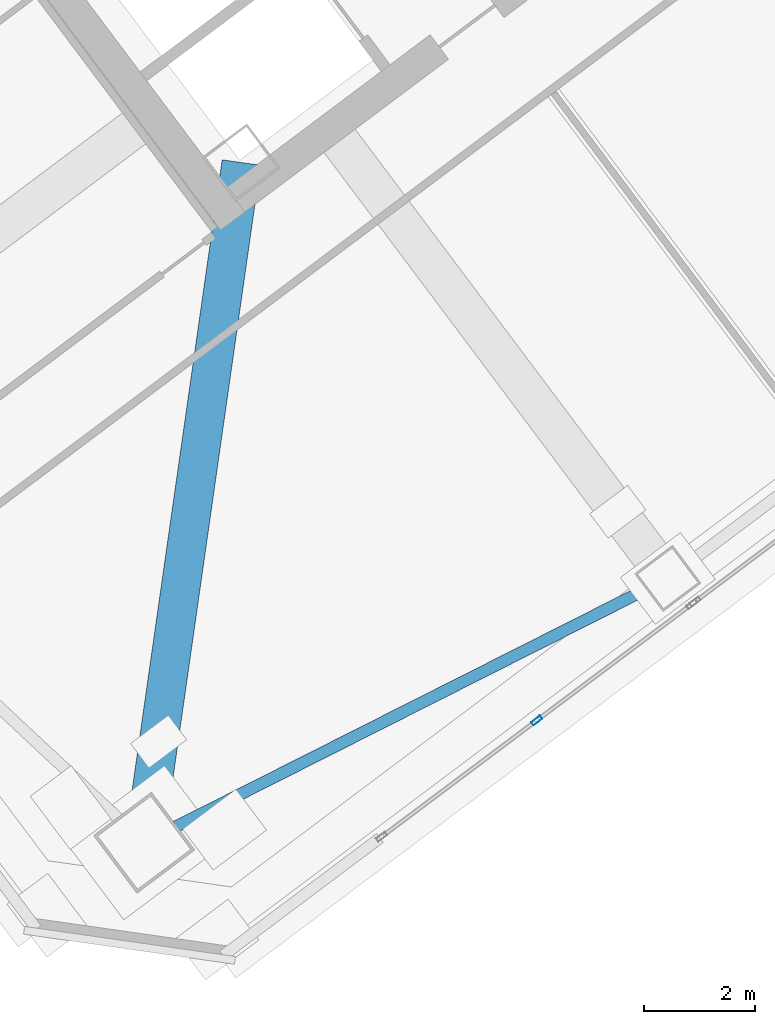
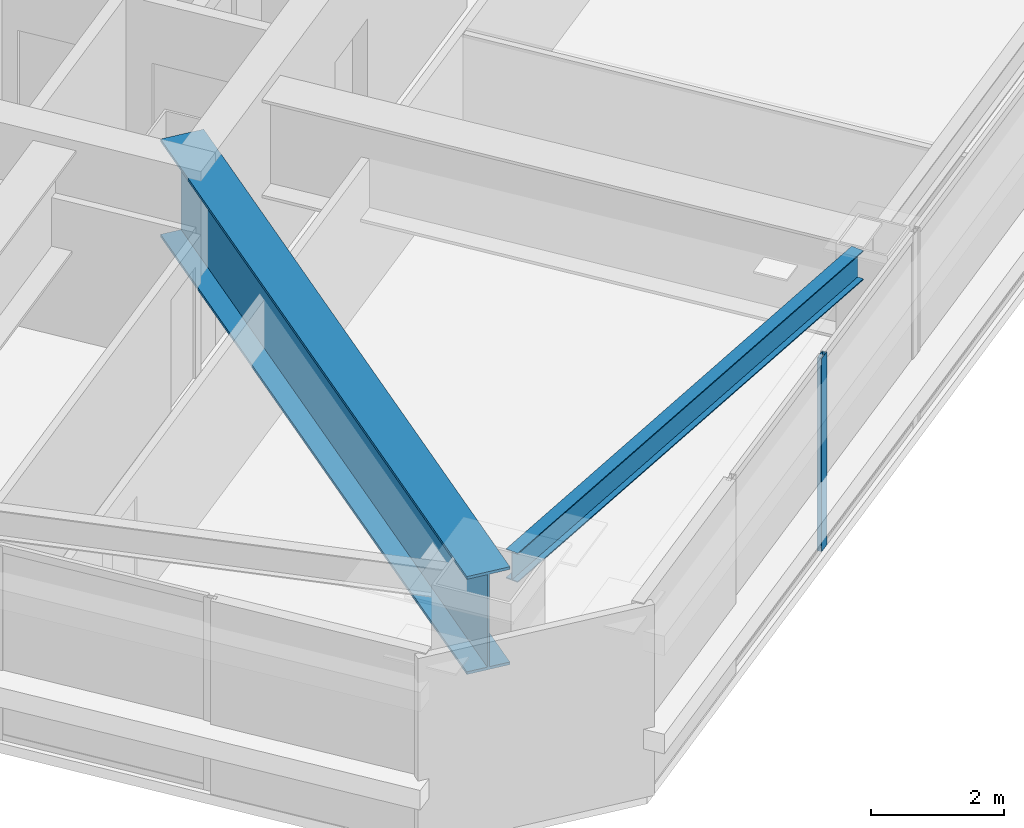
# One storey, part 18 of 42: 2 beams, 1 member, 1 element without a shape of its own.
"""IFC4 building model written with IfcOpenShell, lengths in metres."""

from ifc_helpers import new_model, si_unit, direction, frame, origin, origin_2d, place, context, subcontext, project, spatial, hollow_rectangle, i_section, extrude, material, material_profile, profile_set, type_object, element, aggregate, save


model = new_model("IFC4")

# Units and contexts
model_context = context("Model", 3, precision=1e-05, world=origin(), true_north=direction((0.0, 1.0)))
body_context = subcontext(model_context, "Body", "Model", "MODEL_VIEW")
ifc_project = project(units=[si_unit("LENGTHUNIT", "METRE"), si_unit("AREAUNIT", "SQUARE_METRE"), si_unit("VOLUMEUNIT", "CUBIC_METRE"), si_unit("PLANEANGLEUNIT", "RADIAN"), si_unit("MASSUNIT", "GRAM", prefix="KILO")], contexts=[model_context])

# Site, building, storey
site_placement = place(None, origin())
site = spatial("IfcSite", under=ifc_project, at=site_placement, CompositionType="ELEMENT")
building_placement = place(site_placement, origin())
building = spatial("IfcBuilding", under=site, at=building_placement, Name="Tashvorn Skyway Center", CompositionType="ELEMENT")
storey_placement = place(building_placement, frame((0.0, 0.0, 153.449951171875)))
storey = spatial("IfcBuildingStorey", under=building, at=storey_placement, Name="L41", CompositionType="ELEMENT", Elevation=153.449951171875)

# Beams
ifc_material_1 = material(Name="Steel ASTM A572 Grade 50", Category="steel")
ifc_material_profile_1 = material_profile(ifc_material_1, i_section(OverallWidth=0.699951171875, OverallDepth=1.800048828125, WebThickness=0.031982421875, FlangeThickness=0.050048828125, at=origin_2d()), Name="PG1800x700")
ifc_profile_set_1 = profile_set([ifc_material_profile_1], Name="Steel ASTM A572 Grade 50")
beam_type_1 = type_object("IfcBeamType", Name="BM-BEAM-PG1800x700", PredefinedType="BEAM", material=ifc_profile_set_1)
beam_1_placement = place(storey_placement, frame((110.840087890625, 9.8798828125, 2.469970703125), z_axis=(0.141421356237, 0.989949493661, 0.0), x_axis=(-0.989949493661, 0.141421356237, 0.0)))
element("IfcBeam", 1, at=beam_1_placement, inside=storey, type_object=beam_type_1, Name="Tower 2 L41 Setback Transfer Girder MC-SW", PredefinedType="BEAM", context=body_context, shape_type="SweptSolid", body=[
    extrude(i_section(OverallWidth=0.699951171875, OverallDepth=1.800048828125, WebThickness=0.031982421875, FlangeThickness=0.050048828125, at=origin_2d()), origin(), (0.0, 0.0, 1.0), 12.374267578125),
])
ifc_material_2 = material(Name="Steel ASTM A992 Grade 50", Category="steel")
ifc_material_profile_2 = material_profile(ifc_material_2, i_section(OverallWidth=0.2109375, OverallDepth=0.5390625, WebThickness=0.01171875, FlangeThickness=0.018798828125, at=origin_2d()), Name="W21X73")
ifc_profile_set_2 = profile_set([ifc_material_profile_2], Name="Steel ASTM A992 Grade 50")
beam_type_2 = type_object("IfcBeamType", Name="BM-SPANDREL-W21X73", PredefinedType="SPANDREL", material=ifc_profile_set_2)
beam_2_placement = place(storey_placement, frame((111.415771484375, 10.170654296875, 3.1005859375), z_axis=(0.892719124217, 0.450613543136, 0.0), x_axis=(-0.450613543136, 0.892719124217, 0.0)))
element("IfcBeam", 2, at=beam_2_placement, inside=storey, type_object=beam_type_2, Name="Tower 2 L41 Spandrel Beam 01", PredefinedType="SPANDREL", context=body_context, shape_type="SweptSolid", body=[
    extrude(i_section(OverallWidth=0.2109375, OverallDepth=0.5390625, WebThickness=0.01171875, FlangeThickness=0.018798828125, at=origin_2d()), origin(), (0.0, 0.0, 1.0), 9.498291015625),
])

# Curtain wall, member
ifc_material_3 = material(Name="Thermally broken bronze-anodized aluminium 6063-T6", Category="aluminium")
curtain_wall_type = type_object("IfcCurtainWallType", Name="CW-CW-Z3", PredefinedType="NOTDEFINED", material=ifc_material_3)
curtain_wall_placement = place(storey_placement, origin())
curtain_wall = element("IfcCurtainWall", 3, at=curtain_wall_placement, inside=storey, type_object=curtain_wall_type, Name="Tower 2 L41 South Unitised Curtain Wall Glazing Group 3", PredefinedType="NOTDEFINED")
ifc_material_profile_3 = material_profile(ifc_material_3, hollow_rectangle(XDim=0.074951171875, YDim=0.199951171875, WallThickness=0.00439453125, at=origin_2d()), Name="ALU-MULL-75x200")
ifc_profile_set_3 = profile_set([ifc_material_profile_3], Name="Thermally broken bronze-anodized aluminium 6063-T6")
member_type = type_object("IfcMemberType", Name="CWM-CW-Z3", PredefinedType="MULLION", material=ifc_profile_set_3)
member_placement = place(storey_placement, frame((117.91015625, 12.082763671875, 0.0), z_axis=(0.0, 0.0, 1.0), x_axis=(0.600004533995, -0.799996599484, 0.0)))
member = element("IfcMember", 4, at=member_placement, type_object=member_type, Name="CW-Z3 mullion 2", PredefinedType="MULLION", context=body_context, shape_type="SweptSolid", body=[
    extrude(hollow_rectangle(XDim=0.074951171875, YDim=0.199951171875, WallThickness=0.00439453125, at=origin_2d()), origin(), (0.0, 0.0, 1.0), 3.550048828125),
])
aggregate(curtain_wall, [member])

save(model, "model.ifc")
